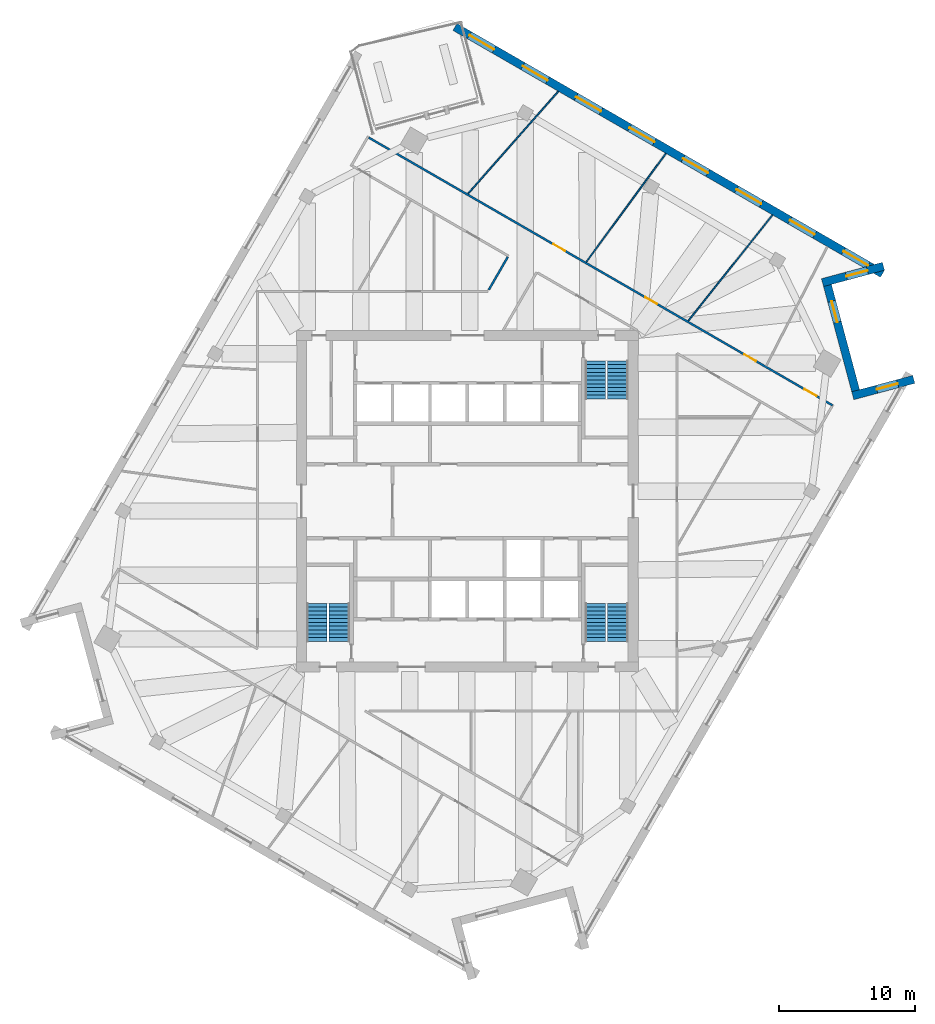
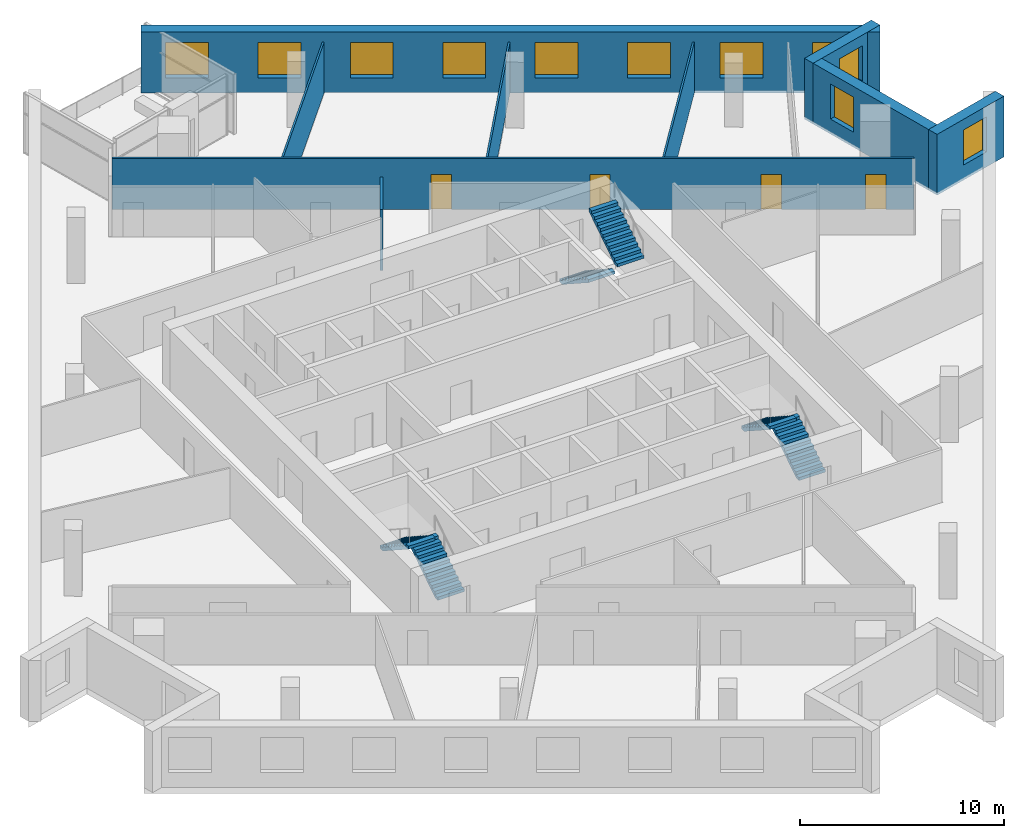
# One storey, part 11 of 13: 11 windows, 9 walls, 6 stair flights, 4 doors, 15 openings, 3 elements without a shape of their own.
"""IFC4 building model written with IfcOpenShell, lengths in metres."""

from ifc_helpers import new_model, si_unit, direction, frame, frame_2d, origin, place, context, subcontext, project, spatial, polyline, rectangle, outline, extrude, material, layer, layer_set, type_object, element, fill, aggregate, save


model = new_model("IFC4")

# Units and contexts
model_context = context("Model", 3, precision=1e-05, world=origin(), true_north=direction((0.0, 1.0)))
body_context = subcontext(model_context, "Body", "Model", "MODEL_VIEW")
ifc_project = project(units=[si_unit("LENGTHUNIT", "METRE"), si_unit("AREAUNIT", "SQUARE_METRE"), si_unit("VOLUMEUNIT", "CUBIC_METRE"), si_unit("PLANEANGLEUNIT", "RADIAN"), si_unit("MASSUNIT", "GRAM", prefix="KILO")], contexts=[model_context])

# Site, building, storey
site_placement = place(None, origin())
site = spatial("IfcSite", under=ifc_project, at=site_placement, CompositionType="ELEMENT")
building_placement = place(site_placement, origin())
building = spatial("IfcBuilding", under=site, at=building_placement, Name="Dilmun Exchange Tower", CompositionType="ELEMENT")
storey_placement = place(building_placement, frame((0.0, 0.0, 266.89990234375)))
storey = spatial("IfcBuildingStorey", under=building, at=storey_placement, Name="L63", CompositionType="ELEMENT", Elevation=266.89990234375)

# Wall, openings, doors
ifc_material_1 = material(Name="Corridor wall 150")
ifc_layer_1 = layer(ifc_material_1, 0.14990234375)
ifc_layer_set_1 = layer_set([ifc_layer_1], Name="Corridor wall 150")
wall_type_1 = type_object("IfcWallType", Name="Corridor wall 150", PredefinedType="PARTITIONING", material=ifc_layer_set_1)
wall_1_placement = place(storey_placement, frame((-7.2470703125, 26.697509765625, 0.0), z_axis=(0.0, 0.0, 1.0), x_axis=(0.866022442497, -0.500005129065, 0.0)))
wall_1 = element("IfcWall", 1, at=wall_1_placement, inside=storey, type_object=wall_type_1, Name="Corridor wall", PredefinedType="PARTITIONING", context=body_context, shape_type="SweptSolid", body=[
    extrude(rectangle(XDim=39.32470703125, YDim=0.14990234375, at=frame_2d((19.662353515625, 0.0))), origin(), (0.0, 0.0, 1.0), 3.0400390625),
])
opening_1_placement = place(wall_1_placement, frame((15.653564453125, 0.0, 0.0)))
opening_1 = element("IfcOpeningElement", 2, at=opening_1_placement, cuts=wall_1, Name="Opening TF62-D16", PredefinedType="OPENING", context=body_context, shape_type="SweptSolid", body=[
    extrude(rectangle(XDim=1.0, YDim=2.10009765625, at=frame_2d((0.5, 1.050048828125))), frame((0.0, 0.0849609375, 0.0), z_axis=(0.0, -1.0, 0.0), x_axis=(1.0, 0.0, 0.0)), (0.0, 0.0, 1.0), 0.169921875),
])
opening_2_placement = place(wall_1_placement, frame((23.441650390625, 0.0, 0.0)))
opening_2 = element("IfcOpeningElement", 3, at=opening_2_placement, cuts=wall_1, Name="Opening TF62-D17", PredefinedType="OPENING", context=body_context, shape_type="SweptSolid", body=[
    extrude(rectangle(XDim=1.0, YDim=2.10009765625, at=frame_2d((0.5, 1.050048828125))), frame((0.0, 0.0849609375, 0.0), z_axis=(0.0, -1.0, 0.0), x_axis=(1.0, 0.0, 0.0)), (0.0, 0.0, 1.0), 0.169921875),
])
opening_3_placement = place(wall_1_placement, frame((31.84130859375, 0.0, 0.0)))
opening_3 = element("IfcOpeningElement", 4, at=opening_3_placement, cuts=wall_1, Name="Opening TF62-D21", PredefinedType="OPENING", context=body_context, shape_type="SweptSolid", body=[
    extrude(rectangle(XDim=1.0, YDim=2.10009765625, at=frame_2d((0.5, 1.050048828125))), frame((0.0, 0.0849609375, 0.0), z_axis=(0.0, -1.0, 0.0), x_axis=(1.0, 0.0, 0.0)), (0.0, 0.0, 1.0), 0.169921875),
])
opening_4_placement = place(wall_1_placement, frame((36.955078125, 0.0, 0.0)))
opening_4 = element("IfcOpeningElement", 5, at=opening_4_placement, cuts=wall_1, Name="Opening TF62-D22", PredefinedType="OPENING", context=body_context, shape_type="SweptSolid", body=[
    extrude(rectangle(XDim=1.0, YDim=2.10009765625, at=frame_2d((0.5, 1.050048828125))), frame((0.0, 0.0849609375, 0.0), z_axis=(0.0, -1.0, 0.0), x_axis=(1.0, 0.0, 0.0)), (0.0, 0.0, 1.0), 0.169921875),
])
ifc_material_2 = material(Name="Fire door 1000 x 2100")
door_type = type_object("IfcDoorType", Name="Fire door 1000 x 2100", OperationType="NOTDEFINED", PredefinedType="DOOR", material=ifc_material_2)
door_1_placement = place(opening_1_placement, origin())
door_1 = element("IfcDoor", 6, at=door_1_placement, inside=storey, type_object=door_type, Name="Door TF62-D16", OperationType="SINGLE_SWING_RIGHT", OverallHeight=2.10009765625, OverallWidth=1.0, PredefinedType="DOOR", context=body_context, shape_type="SweptSolid", body=[
    extrude(rectangle(XDim=1.0, YDim=2.10009765625, at=frame_2d((0.5, 1.050048828125))), frame((0.0, 0.02490234375, 0.0), z_axis=(0.0, -1.0, 0.0), x_axis=(1.0, 0.0, 0.0)), (0.0, 0.0, 1.0), 0.050048828125),
])
fill(opening_1, door_1)
door_2_placement = place(opening_2_placement, origin())
door_2 = element("IfcDoor", 7, at=door_2_placement, inside=storey, type_object=door_type, Name="Door TF62-D17", OperationType="SINGLE_SWING_RIGHT", OverallHeight=2.10009765625, OverallWidth=1.0, PredefinedType="DOOR", context=body_context, shape_type="SweptSolid", body=[
    extrude(rectangle(XDim=1.0, YDim=2.10009765625, at=frame_2d((0.5, 1.050048828125))), frame((0.0, 0.02490234375, 0.0), z_axis=(0.0, -1.0, 0.0), x_axis=(1.0, 0.0, 0.0)), (0.0, 0.0, 1.0), 0.050048828125),
])
fill(opening_2, door_2)
door_3_placement = place(opening_3_placement, origin())
door_3 = element("IfcDoor", 8, at=door_3_placement, inside=storey, type_object=door_type, Name="Door TF62-D21", OperationType="SINGLE_SWING_RIGHT", OverallHeight=2.10009765625, OverallWidth=1.0, PredefinedType="DOOR", context=body_context, shape_type="SweptSolid", body=[
    extrude(rectangle(XDim=1.0, YDim=2.10009765625, at=frame_2d((0.5, 1.050048828125))), frame((0.0, 0.02490234375, 0.0), z_axis=(0.0, -1.0, 0.0), x_axis=(1.0, 0.0, 0.0)), (0.0, 0.0, 1.0), 0.050048828125),
])
fill(opening_3, door_3)
door_4_placement = place(opening_4_placement, origin())
door_4 = element("IfcDoor", 9, at=door_4_placement, inside=storey, type_object=door_type, Name="Door TF62-D22", OperationType="SINGLE_SWING_RIGHT", OverallHeight=2.10009765625, OverallWidth=1.0, PredefinedType="DOOR", context=body_context, shape_type="SweptSolid", body=[
    extrude(rectangle(XDim=1.0, YDim=2.10009765625, at=frame_2d((0.5, 1.050048828125))), frame((0.0, 0.02490234375, 0.0), z_axis=(0.0, -1.0, 0.0), x_axis=(1.0, 0.0, 0.0)), (0.0, 0.0, 1.0), 0.050048828125),
])
fill(opening_4, door_4)

# Walls
wall_2_placement = place(storey_placement, frame((1.56591796875, 15.512451171875, 0.0), z_axis=(0.0, 0.0, 1.0), x_axis=(0.500136902793, 0.865946348491, 0.0)))
element("IfcWall", 10, at=wall_2_placement, inside=storey, type_object=wall_type_1, Name="Corridor wall", PredefinedType="PARTITIONING", context=body_context, shape_type="SweptSolid", body=[
    extrude(rectangle(XDim=2.804443359375, YDim=0.14990234375, at=frame_2d((1.40234375, 0.0))), origin(), (0.0, 0.0, 1.0), 3.64013671875),
])
ifc_material_3 = material(Name="Partition 100")
ifc_layer_2 = layer(ifc_material_3, 0.10009765625)
ifc_layer_set_2 = layer_set([ifc_layer_2], Name="Partition 100")
wall_type_2 = type_object("IfcWallType", Name="Partition 100", PredefinedType="PARTITIONING", material=ifc_layer_set_2)
wall_3_placement = place(storey_placement, frame((0.04541015625, 22.5859375, 0.0), z_axis=(0.0, 0.0, 1.0), x_axis=(0.662385571542, 0.749163102811, 0.0)))
element("IfcWall", 11, at=wall_3_placement, inside=storey, type_object=wall_type_2, Name="Partition", PredefinedType="PARTITIONING", context=body_context, shape_type="SweptSolid", body=[
    extrude(rectangle(XDim=10.015625, YDim=0.10009765625, at=frame_2d((5.0078125, 0.0))), origin(), (0.0, 0.0, 1.0), 3.0400390625),
])
wall_4_placement = place(storey_placement, frame((8.727783203125, 17.5673828125, 0.0), z_axis=(0.0, 0.0, 1.0), x_axis=(0.591764258376, 0.806111073307, 0.0)))
element("IfcWall", 12, at=wall_4_placement, inside=storey, type_object=wall_type_2, Name="Partition", PredefinedType="PARTITIONING", context=body_context, shape_type="SweptSolid", body=[
    extrude(rectangle(XDim=9.879638671875, YDim=0.10009765625, at=frame_2d((4.93994140625, 0.0))), origin(), (0.0, 0.0, 1.0), 3.0400390625),
])
wall_5_placement = place(storey_placement, frame((16.222900390625, 13.2421875, 0.0), z_axis=(0.0, 0.0, 1.0), x_axis=(0.622346910835, 0.78274154264, 0.0)))
element("IfcWall", 13, at=wall_5_placement, inside=storey, type_object=wall_type_2, Name="Partition", PredefinedType="PARTITIONING", context=body_context, shape_type="SweptSolid", body=[
    extrude(rectangle(XDim=9.92724609375, YDim=0.10009765625, at=frame_2d((4.963623046875, 0.0))), origin(), (0.0, 0.0, 1.0), 3.0400390625),
])

# Wall, opening, window
ifc_material_4 = material(Name="Precast concrete C50/60", Category="concrete")
ifc_layer_3 = layer(ifc_material_4, 0.60009765625)
ifc_layer_set_3 = layer_set([ifc_layer_3], Name="Precast concrete C50/60")
wall_type_3 = type_object("IfcWallType", Name="Precast stone-clad wall 600", PredefinedType="STANDARD", material=ifc_layer_set_3)
wall_6_placement = place(storey_placement, frame((32.77392578125, 8.94189453125, 0.0), z_axis=(0.0, 0.0, 1.0), x_axis=(-0.965928304125, -0.258809797517, 0.0)))
wall_6 = element("IfcWall", 14, at=wall_6_placement, inside=storey, type_object=wall_type_3, Name="Facade wall L63-12", PredefinedType="STANDARD", context=body_context, shape_type="SweptSolid", body=[
    extrude(rectangle(XDim=4.635498046875, YDim=0.60009765625, at=frame_2d((2.31787109375, 0.0))), origin(), (0.0, 0.0, 1.0), 3.64013671875),
])
opening_5_placement = place(wall_6_placement, frame((1.2177734375, 0.0, 0.89990234375)))
opening_5 = element("IfcOpeningElement", 15, at=opening_5_placement, cuts=wall_6, Name="Opening W160-210", PredefinedType="OPENING", context=body_context, shape_type="SweptSolid", body=[
    extrude(rectangle(XDim=1.60009765625, YDim=2.10009765625, at=frame_2d((0.800048828125, 1.050048828125))), frame((0.0, 0.31005859375, 0.0), z_axis=(0.0, -1.0, 0.0), x_axis=(1.0, 0.0, 0.0)), (0.0, 0.0, 1.0), 0.6201171875),
])
ifc_material_5 = material(Name="Clear low-emissivity glass in aluminium frame", Category="aluminium")
window_type_1 = type_object("IfcWindowType", Name="Punched window 1600 x 2100", PartitioningType="DOUBLE_PANEL_VERTICAL", PredefinedType="WINDOW", material=ifc_material_5)
window_1_placement = place(opening_5_placement, origin())
window_1 = element("IfcWindow", 16, at=window_1_placement, inside=storey, type_object=window_type_1, Name="Window 13.1", OverallHeight=2.10009765625, OverallWidth=1.60009765625, PartitioningType="SINGLE_PANEL", PredefinedType="WINDOW", context=body_context, shape_type="SweptSolid", body=[
    extrude(rectangle(XDim=1.60009765625, YDim=2.10009765625, at=frame_2d((0.800048828125, 1.050048828125))), frame((0.0, 0.030029296875, 0.0), z_axis=(0.0, -1.0, 0.0), x_axis=(1.0, 0.0, 0.0)), (0.0, 0.0, 1.0), 0.06005859375),
])
fill(opening_5, window_1)

wall_7_placement = place(storey_placement, frame((28.508544921875, 8.109619140625, 0.0), z_axis=(0.0, 0.0, 1.0), x_axis=(-0.258815405168, 0.965926801599, 0.0)))
wall_7 = element("IfcWall", 17, at=wall_7_placement, inside=storey, type_object=wall_type_3, Name="Facade wall L63-13", PredefinedType="STANDARD", context=body_context, shape_type="SweptSolid", body=[
    extrude(rectangle(XDim=8.000244140625, YDim=0.60009765625, at=frame_2d((4.0, 0.0))), origin(), (0.0, 0.0, 1.0), 3.64013671875),
])
opening_6_placement = place(wall_7_placement, frame((5.199951171875, 0.0, 0.89990234375)))
opening_6 = element("IfcOpeningElement", 18, at=opening_6_placement, cuts=wall_7, Name="Opening W160-210", PredefinedType="OPENING", context=body_context, shape_type="SweptSolid", body=[
    extrude(rectangle(XDim=1.60009765625, YDim=2.10009765625, at=frame_2d((0.800048828125, 1.050048828125))), frame((0.0, 0.31005859375, 0.0), z_axis=(0.0, -1.0, 0.0), x_axis=(1.0, 0.0, 0.0)), (0.0, 0.0, 1.0), 0.6201171875),
])
window_2_placement = place(opening_6_placement, origin())
window_2 = element("IfcWindow", 19, at=window_2_placement, inside=storey, type_object=window_type_1, Name="Window 14.2", OverallHeight=2.10009765625, OverallWidth=1.60009765625, PartitioningType="SINGLE_PANEL", PredefinedType="WINDOW", context=body_context, shape_type="SweptSolid", body=[
    extrude(rectangle(XDim=1.60009765625, YDim=2.10009765625, at=frame_2d((0.800048828125, 1.050048828125))), frame((0.0, 0.030029296875, 0.0), z_axis=(0.0, -1.0, 0.0), x_axis=(1.0, 0.0, 0.0)), (0.0, 0.0, 1.0), 0.06005859375),
])
fill(opening_6, window_2)

wall_8_placement = place(storey_placement, frame((26.070556640625, 16.04931640625, 0.0), z_axis=(0.0, 0.0, 1.0), x_axis=(0.965928304125, 0.258809797517, 0.0)))
wall_8 = element("IfcWall", 20, at=wall_8_placement, inside=storey, type_object=wall_type_3, Name="Facade wall L63-14", PredefinedType="STANDARD", context=body_context, shape_type="SweptSolid", body=[
    extrude(rectangle(XDim=4.635498046875, YDim=0.60009765625, at=frame_2d((2.31787109375, 0.0))), origin(), (0.0, 0.0, 1.0), 3.64013671875),
])
opening_7_placement = place(wall_8_placement, frame((1.81787109375, 0.0, 0.89990234375)))
opening_7 = element("IfcOpeningElement", 21, at=opening_7_placement, cuts=wall_8, Name="Opening W160-210", PredefinedType="OPENING", context=body_context, shape_type="SweptSolid", body=[
    extrude(rectangle(XDim=1.60009765625, YDim=2.10009765625, at=frame_2d((0.800048828125, 1.050048828125))), frame((0.0, 0.31005859375, 0.0), z_axis=(0.0, -1.0, 0.0), x_axis=(1.0, 0.0, 0.0)), (0.0, 0.0, 1.0), 0.6201171875),
])
window_3_placement = place(opening_7_placement, origin())
window_3 = element("IfcWindow", 22, at=window_3_placement, inside=storey, type_object=window_type_1, Name="Window 15.1", OverallHeight=2.10009765625, OverallWidth=1.60009765625, PartitioningType="SINGLE_PANEL", PredefinedType="WINDOW", context=body_context, shape_type="SweptSolid", body=[
    extrude(rectangle(XDim=1.60009765625, YDim=2.10009765625, at=frame_2d((0.800048828125, 1.050048828125))), frame((0.0, 0.030029296875, 0.0), z_axis=(0.0, -1.0, 0.0), x_axis=(1.0, 0.0, 0.0)), (0.0, 0.0, 1.0), 0.06005859375),
])
fill(opening_7, window_3)

# Wall, openings, windows
wall_9_placement = place(storey_placement, frame((30.475830078125, 16.699462890625, 0.0), z_axis=(0.0, 0.0, 1.0), x_axis=(-0.866025061514, 0.500000592829, 0.0)))
wall_9 = element("IfcWall", 23, at=wall_9_placement, inside=storey, type_object=wall_type_3, Name="Facade wall L63-15", PredefinedType="STANDARD", context=body_context, shape_type="SweptSolid", body=[
    extrude(rectangle(XDim=36.2431640625, YDim=0.60009765625, at=frame_2d((18.12158203125, 0.0))), origin(), (0.0, 0.0, 1.0), 3.64013671875),
])
opening_8_placement = place(wall_9_placement, frame((1.215087890625, 0.0, 0.89990234375)))
opening_8 = element("IfcOpeningElement", 24, at=opening_8_placement, cuts=wall_9, Name="Opening W210-210", PredefinedType="OPENING", context=body_context, shape_type="SweptSolid", body=[
    extrude(rectangle(XDim=2.10009765625, YDim=2.10009765625, at=frame_2d((1.050048828125, 1.050048828125))), frame((0.0, 0.31005859375, 0.0), z_axis=(0.0, -1.0, 0.0), x_axis=(1.0, 0.0, 0.0)), (0.0, 0.0, 1.0), 0.6201171875),
])
opening_9_placement = place(wall_9_placement, frame((5.74560546875, 0.0, 0.89990234375)))
opening_9 = element("IfcOpeningElement", 25, at=opening_9_placement, cuts=wall_9, Name="Opening W210-210", PredefinedType="OPENING", context=body_context, shape_type="SweptSolid", body=[
    extrude(rectangle(XDim=2.10009765625, YDim=2.10009765625, at=frame_2d((1.050048828125, 1.050048828125))), frame((0.0, 0.31005859375, 0.0), z_axis=(0.0, -1.0, 0.0), x_axis=(1.0, 0.0, 0.0)), (0.0, 0.0, 1.0), 0.6201171875),
])
opening_10_placement = place(wall_9_placement, frame((10.27587890625, 0.0, 0.89990234375)))
opening_10 = element("IfcOpeningElement", 26, at=opening_10_placement, cuts=wall_9, Name="Opening W210-210", PredefinedType="OPENING", context=body_context, shape_type="SweptSolid", body=[
    extrude(rectangle(XDim=2.10009765625, YDim=2.10009765625, at=frame_2d((1.050048828125, 1.050048828125))), frame((0.0, 0.31005859375, 0.0), z_axis=(0.0, -1.0, 0.0), x_axis=(1.0, 0.0, 0.0)), (0.0, 0.0, 1.0), 0.6201171875),
])
opening_11_placement = place(wall_9_placement, frame((14.806396484375, 0.0, 0.89990234375)))
opening_11 = element("IfcOpeningElement", 27, at=opening_11_placement, cuts=wall_9, Name="Opening W210-210", PredefinedType="OPENING", context=body_context, shape_type="SweptSolid", body=[
    extrude(rectangle(XDim=2.10009765625, YDim=2.10009765625, at=frame_2d((1.050048828125, 1.050048828125))), frame((0.0, 0.31005859375, 0.0), z_axis=(0.0, -1.0, 0.0), x_axis=(1.0, 0.0, 0.0)), (0.0, 0.0, 1.0), 0.6201171875),
])
opening_12_placement = place(wall_9_placement, frame((19.3369140625, 0.0, 0.89990234375)))
opening_12 = element("IfcOpeningElement", 28, at=opening_12_placement, cuts=wall_9, Name="Opening W210-210", PredefinedType="OPENING", context=body_context, shape_type="SweptSolid", body=[
    extrude(rectangle(XDim=2.10009765625, YDim=2.10009765625, at=frame_2d((1.050048828125, 1.050048828125))), frame((0.0, 0.31005859375, 0.0), z_axis=(0.0, -1.0, 0.0), x_axis=(1.0, 0.0, 0.0)), (0.0, 0.0, 1.0), 0.6201171875),
])
opening_13_placement = place(wall_9_placement, frame((23.8671875, 0.0, 0.89990234375)))
opening_13 = element("IfcOpeningElement", 29, at=opening_13_placement, cuts=wall_9, Name="Opening W210-210", PredefinedType="OPENING", context=body_context, shape_type="SweptSolid", body=[
    extrude(rectangle(XDim=2.10009765625, YDim=2.10009765625, at=frame_2d((1.050048828125, 1.050048828125))), frame((0.0, 0.31005859375, 0.0), z_axis=(0.0, -1.0, 0.0), x_axis=(1.0, 0.0, 0.0)), (0.0, 0.0, 1.0), 0.6201171875),
])
opening_14_placement = place(wall_9_placement, frame((28.397705078125, 0.0, 0.89990234375)))
opening_14 = element("IfcOpeningElement", 30, at=opening_14_placement, cuts=wall_9, Name="Opening W210-210", PredefinedType="OPENING", context=body_context, shape_type="SweptSolid", body=[
    extrude(rectangle(XDim=2.10009765625, YDim=2.10009765625, at=frame_2d((1.050048828125, 1.050048828125))), frame((0.0, 0.31005859375, 0.0), z_axis=(0.0, -1.0, 0.0), x_axis=(1.0, 0.0, 0.0)), (0.0, 0.0, 1.0), 0.6201171875),
])
opening_15_placement = place(wall_9_placement, frame((32.927978515625, 0.0, 0.89990234375)))
opening_15 = element("IfcOpeningElement", 31, at=opening_15_placement, cuts=wall_9, Name="Opening W210-210", PredefinedType="OPENING", context=body_context, shape_type="SweptSolid", body=[
    extrude(rectangle(XDim=2.10009765625, YDim=2.10009765625, at=frame_2d((1.050048828125, 1.050048828125))), frame((0.0, 0.31005859375, 0.0), z_axis=(0.0, -1.0, 0.0), x_axis=(1.0, 0.0, 0.0)), (0.0, 0.0, 1.0), 0.6201171875),
])
window_type_2 = type_object("IfcWindowType", Name="Punched window 2100 x 2100", PartitioningType="DOUBLE_PANEL_VERTICAL", PredefinedType="WINDOW", material=ifc_material_5)
window_4_placement = place(opening_8_placement, origin())
window_4 = element("IfcWindow", 32, at=window_4_placement, inside=storey, type_object=window_type_2, Name="Window 16.1", OverallHeight=2.10009765625, OverallWidth=2.10009765625, PartitioningType="SINGLE_PANEL", PredefinedType="WINDOW", context=body_context, shape_type="SweptSolid", body=[
    extrude(rectangle(XDim=2.10009765625, YDim=2.10009765625, at=frame_2d((1.050048828125, 1.050048828125))), frame((0.0, 0.030029296875, 0.0), z_axis=(0.0, -1.0, 0.0), x_axis=(1.0, 0.0, 0.0)), (0.0, 0.0, 1.0), 0.06005859375),
])
fill(opening_8, window_4)
window_5_placement = place(opening_9_placement, origin())
window_5 = element("IfcWindow", 33, at=window_5_placement, inside=storey, type_object=window_type_2, Name="Window 16.2", OverallHeight=2.10009765625, OverallWidth=2.10009765625, PartitioningType="SINGLE_PANEL", PredefinedType="WINDOW", context=body_context, shape_type="SweptSolid", body=[
    extrude(rectangle(XDim=2.10009765625, YDim=2.10009765625, at=frame_2d((1.050048828125, 1.050048828125))), frame((0.0, 0.030029296875, 0.0), z_axis=(0.0, -1.0, 0.0), x_axis=(1.0, 0.0, 0.0)), (0.0, 0.0, 1.0), 0.06005859375),
])
fill(opening_9, window_5)
window_6_placement = place(opening_10_placement, origin())
window_6 = element("IfcWindow", 34, at=window_6_placement, inside=storey, type_object=window_type_2, Name="Window 16.3", OverallHeight=2.10009765625, OverallWidth=2.10009765625, PartitioningType="SINGLE_PANEL", PredefinedType="WINDOW", context=body_context, shape_type="SweptSolid", body=[
    extrude(rectangle(XDim=2.10009765625, YDim=2.10009765625, at=frame_2d((1.050048828125, 1.050048828125))), frame((0.0, 0.030029296875, 0.0), z_axis=(0.0, -1.0, 0.0), x_axis=(1.0, 0.0, 0.0)), (0.0, 0.0, 1.0), 0.06005859375),
])
fill(opening_10, window_6)
window_7_placement = place(opening_11_placement, origin())
window_7 = element("IfcWindow", 35, at=window_7_placement, inside=storey, type_object=window_type_2, Name="Window 16.4", OverallHeight=2.10009765625, OverallWidth=2.10009765625, PartitioningType="SINGLE_PANEL", PredefinedType="WINDOW", context=body_context, shape_type="SweptSolid", body=[
    extrude(rectangle(XDim=2.10009765625, YDim=2.10009765625, at=frame_2d((1.050048828125, 1.050048828125))), frame((0.0, 0.030029296875, 0.0), z_axis=(0.0, -1.0, 0.0), x_axis=(1.0, 0.0, 0.0)), (0.0, 0.0, 1.0), 0.06005859375),
])
fill(opening_11, window_7)
window_8_placement = place(opening_12_placement, origin())
window_8 = element("IfcWindow", 36, at=window_8_placement, inside=storey, type_object=window_type_2, Name="Window 16.5", OverallHeight=2.10009765625, OverallWidth=2.10009765625, PartitioningType="SINGLE_PANEL", PredefinedType="WINDOW", context=body_context, shape_type="SweptSolid", body=[
    extrude(rectangle(XDim=2.10009765625, YDim=2.10009765625, at=frame_2d((1.050048828125, 1.050048828125))), frame((0.0, 0.030029296875, 0.0), z_axis=(0.0, -1.0, 0.0), x_axis=(1.0, 0.0, 0.0)), (0.0, 0.0, 1.0), 0.06005859375),
])
fill(opening_12, window_8)
window_9_placement = place(opening_13_placement, origin())
window_9 = element("IfcWindow", 37, at=window_9_placement, inside=storey, type_object=window_type_2, Name="Window 16.6", OverallHeight=2.10009765625, OverallWidth=2.10009765625, PartitioningType="SINGLE_PANEL", PredefinedType="WINDOW", context=body_context, shape_type="SweptSolid", body=[
    extrude(rectangle(XDim=2.10009765625, YDim=2.10009765625, at=frame_2d((1.050048828125, 1.050048828125))), frame((0.0, 0.030029296875, 0.0), z_axis=(0.0, -1.0, 0.0), x_axis=(1.0, 0.0, 0.0)), (0.0, 0.0, 1.0), 0.06005859375),
])
fill(opening_13, window_9)
window_10_placement = place(opening_14_placement, origin())
window_10 = element("IfcWindow", 38, at=window_10_placement, inside=storey, type_object=window_type_2, Name="Window 16.7", OverallHeight=2.10009765625, OverallWidth=2.10009765625, PartitioningType="SINGLE_PANEL", PredefinedType="WINDOW", context=body_context, shape_type="SweptSolid", body=[
    extrude(rectangle(XDim=2.10009765625, YDim=2.10009765625, at=frame_2d((1.050048828125, 1.050048828125))), frame((0.0, 0.030029296875, 0.0), z_axis=(0.0, -1.0, 0.0), x_axis=(1.0, 0.0, 0.0)), (0.0, 0.0, 1.0), 0.06005859375),
])
fill(opening_14, window_10)
window_11_placement = place(opening_15_placement, origin())
window_11 = element("IfcWindow", 39, at=window_11_placement, inside=storey, type_object=window_type_2, Name="Window 16.8", OverallHeight=2.10009765625, OverallWidth=2.10009765625, PartitioningType="SINGLE_PANEL", PredefinedType="WINDOW", context=body_context, shape_type="SweptSolid", body=[
    extrude(rectangle(XDim=2.10009765625, YDim=2.10009765625, at=frame_2d((1.050048828125, 1.050048828125))), frame((0.0, 0.030029296875, 0.0), z_axis=(0.0, -1.0, 0.0), x_axis=(1.0, 0.0, 0.0)), (0.0, 0.0, 1.0), 0.06005859375),
])
fill(opening_15, window_11)

# Stair, stair flights
ifc_material_6 = material(Name="Concrete C40/50", Category="concrete")
stair_type = type_object("IfcStairType", Name="Exit stair 1500 half-turn", PredefinedType="HALF_TURN_STAIR", material=ifc_material_6)
stair_1_placement = place(storey_placement, origin())
stair_1 = element("IfcStair", 40, at=stair_1_placement, inside=storey, type_object=stair_type, Name="L63 Protected exit stair ST1", PredefinedType="HALF_TURN_STAIR")
stair_flight_type = type_object("IfcStairFlightType", Name="Exit stair flight 1500", PredefinedType="STRAIGHT", material=ifc_material_6)
stair_flight_1_placement = place(storey_placement, frame((9.39990234375, 10.300048828125, 0.0), z_axis=(0.0, 0.0, 1.0), x_axis=(0.0, -1.0, 0.0)))
stair_flight_1 = element("IfcStairFlight", 41, at=stair_flight_1_placement, type_object=stair_flight_type, Name="ST1 flight 1", NumberOfRisers=11, NumberOfTreads=10, PredefinedType="STRAIGHT", RiserHeight=0.181818182, TreadLength=0.28, context=body_context, shape_type="SweptSolid", body=[
    extrude(outline(polyline([(0.0, 0.0), (0.0, 0.181884765625), (0.280029296875, 0.181884765625), (0.280029296875, 0.363525390625), (0.56005859375, 0.363525390625), (0.56005859375, 0.54541015625), (0.840087890625, 0.54541015625), (0.840087890625, 0.727294921875), (1.1201171875, 0.727294921875), (1.1201171875, 0.9091796875), (1.39990234375, 0.9091796875), (1.39990234375, 1.0908203125), (1.679931640625, 1.0908203125), (1.679931640625, 1.272705078125), (1.9599609375, 1.272705078125), (1.9599609375, 1.45458984375), (2.239990234375, 1.45458984375), (2.239990234375, 1.636474609375), (2.52001953125, 1.636474609375), (2.52001953125, 1.818115234375), (2.800048828125, 1.818115234375), (2.800048828125, 2.0), (2.800048828125, 1.639404296875), (0.275146484375, 0.0), (0.0, 0.0)])), frame((0.0, 0.75, 0.0), z_axis=(0.0, -1.0, 0.0), x_axis=(1.0, 0.0, 0.0)), (0.0, 0.0, 1.0), 1.5),
])
stair_flight_2_placement = place(storey_placement, frame((11.050048828125, 7.5, 2.0), z_axis=(0.0, 0.0, 1.0), x_axis=(0.0, 1.0, 0.0)))
stair_flight_2 = element("IfcStairFlight", 42, at=stair_flight_2_placement, type_object=stair_flight_type, Name="ST1 flight 2", NumberOfRisers=11, NumberOfTreads=10, PredefinedType="STRAIGHT", RiserHeight=0.181818182, TreadLength=0.28, context=body_context, shape_type="SweptSolid", body=[
    extrude(outline(polyline([(0.0, 0.0), (0.0, 0.181884765625), (0.280029296875, 0.181884765625), (0.280029296875, 0.363525390625), (0.56005859375, 0.363525390625), (0.56005859375, 0.54541015625), (0.840087890625, 0.54541015625), (0.840087890625, 0.727294921875), (1.1201171875, 0.727294921875), (1.1201171875, 0.9091796875), (1.39990234375, 0.9091796875), (1.39990234375, 1.0908203125), (1.679931640625, 1.0908203125), (1.679931640625, 1.272705078125), (1.9599609375, 1.272705078125), (1.9599609375, 1.45458984375), (2.239990234375, 1.45458984375), (2.239990234375, 1.636474609375), (2.52001953125, 1.636474609375), (2.52001953125, 1.818115234375), (2.800048828125, 1.818115234375), (2.800048828125, 2.0), (2.800048828125, 1.639404296875), (0.275146484375, 0.0), (0.0, 0.0)])), frame((0.0, 0.75, 0.0), z_axis=(0.0, -1.0, 0.0), x_axis=(1.0, 0.0, 0.0)), (0.0, 0.0, 1.0), 1.5),
])
aggregate(stair_1, [stair_flight_1, stair_flight_2])

stair_2_placement = place(storey_placement, origin())
stair_2 = element("IfcStair", 43, at=stair_2_placement, inside=storey, type_object=stair_type, Name="L63 Protected exit stair ST2", PredefinedType="HALF_TURN_STAIR")
stair_flight_3_placement = place(storey_placement, frame((-9.39990234375, -10.300048828125, 0.0), z_axis=(0.0, 0.0, 1.0), x_axis=(0.0, 1.0, 0.0)))
stair_flight_3 = element("IfcStairFlight", 44, at=stair_flight_3_placement, type_object=stair_flight_type, Name="ST2 flight 1", NumberOfRisers=11, NumberOfTreads=10, PredefinedType="STRAIGHT", RiserHeight=0.181818182, TreadLength=0.28, context=body_context, shape_type="SweptSolid", body=[
    extrude(outline(polyline([(0.0, 0.0), (0.0, 0.181884765625), (0.280029296875, 0.181884765625), (0.280029296875, 0.363525390625), (0.56005859375, 0.363525390625), (0.56005859375, 0.54541015625), (0.840087890625, 0.54541015625), (0.840087890625, 0.727294921875), (1.1201171875, 0.727294921875), (1.1201171875, 0.9091796875), (1.39990234375, 0.9091796875), (1.39990234375, 1.0908203125), (1.679931640625, 1.0908203125), (1.679931640625, 1.272705078125), (1.9599609375, 1.272705078125), (1.9599609375, 1.45458984375), (2.239990234375, 1.45458984375), (2.239990234375, 1.636474609375), (2.52001953125, 1.636474609375), (2.52001953125, 1.818115234375), (2.800048828125, 1.818115234375), (2.800048828125, 2.0), (2.800048828125, 1.639404296875), (0.275146484375, 0.0), (0.0, 0.0)])), frame((0.0, 0.75, 0.0), z_axis=(0.0, -1.0, 0.0), x_axis=(1.0, 0.0, 0.0)), (0.0, 0.0, 1.0), 1.5),
])
stair_flight_4_placement = place(storey_placement, frame((-11.050048828125, -7.5, 2.0), z_axis=(0.0, 0.0, 1.0), x_axis=(0.0, -1.0, 0.0)))
stair_flight_4 = element("IfcStairFlight", 45, at=stair_flight_4_placement, type_object=stair_flight_type, Name="ST2 flight 2", NumberOfRisers=11, NumberOfTreads=10, PredefinedType="STRAIGHT", RiserHeight=0.181818182, TreadLength=0.28, context=body_context, shape_type="SweptSolid", body=[
    extrude(outline(polyline([(0.0, 0.0), (0.0, 0.181884765625), (0.280029296875, 0.181884765625), (0.280029296875, 0.363525390625), (0.56005859375, 0.363525390625), (0.56005859375, 0.54541015625), (0.840087890625, 0.54541015625), (0.840087890625, 0.727294921875), (1.1201171875, 0.727294921875), (1.1201171875, 0.9091796875), (1.39990234375, 0.9091796875), (1.39990234375, 1.0908203125), (1.679931640625, 1.0908203125), (1.679931640625, 1.272705078125), (1.9599609375, 1.272705078125), (1.9599609375, 1.45458984375), (2.239990234375, 1.45458984375), (2.239990234375, 1.636474609375), (2.52001953125, 1.636474609375), (2.52001953125, 1.818115234375), (2.800048828125, 1.818115234375), (2.800048828125, 2.0), (2.800048828125, 1.639404296875), (0.275146484375, 0.0), (0.0, 0.0)])), frame((0.0, 0.75, 0.0), z_axis=(0.0, -1.0, 0.0), x_axis=(1.0, 0.0, 0.0)), (0.0, 0.0, 1.0), 1.5),
])
aggregate(stair_2, [stair_flight_3, stair_flight_4])

stair_3_placement = place(storey_placement, origin())
stair_3 = element("IfcStair", 46, at=stair_3_placement, inside=storey, type_object=stair_type, Name="L63 Protected exit stair ST3", PredefinedType="HALF_TURN_STAIR")
stair_flight_5_placement = place(storey_placement, frame((11.050048828125, -10.300048828125, 0.0), z_axis=(0.0, 0.0, 1.0), x_axis=(0.0, 1.0, 0.0)))
stair_flight_5 = element("IfcStairFlight", 47, at=stair_flight_5_placement, type_object=stair_flight_type, Name="ST3 flight 1", NumberOfRisers=11, NumberOfTreads=10, PredefinedType="STRAIGHT", RiserHeight=0.181818182, TreadLength=0.28, context=body_context, shape_type="SweptSolid", body=[
    extrude(outline(polyline([(0.0, 0.0), (0.0, 0.181884765625), (0.280029296875, 0.181884765625), (0.280029296875, 0.363525390625), (0.56005859375, 0.363525390625), (0.56005859375, 0.54541015625), (0.840087890625, 0.54541015625), (0.840087890625, 0.727294921875), (1.1201171875, 0.727294921875), (1.1201171875, 0.9091796875), (1.39990234375, 0.9091796875), (1.39990234375, 1.0908203125), (1.679931640625, 1.0908203125), (1.679931640625, 1.272705078125), (1.9599609375, 1.272705078125), (1.9599609375, 1.45458984375), (2.239990234375, 1.45458984375), (2.239990234375, 1.636474609375), (2.52001953125, 1.636474609375), (2.52001953125, 1.818115234375), (2.800048828125, 1.818115234375), (2.800048828125, 2.0), (2.800048828125, 1.639404296875), (0.275146484375, 0.0), (0.0, 0.0)])), frame((0.0, 0.75, 0.0), z_axis=(0.0, -1.0, 0.0), x_axis=(1.0, 0.0, 0.0)), (0.0, 0.0, 1.0), 1.5),
])
stair_flight_6_placement = place(storey_placement, frame((9.39990234375, -7.5, 2.0), z_axis=(0.0, 0.0, 1.0), x_axis=(0.0, -1.0, 0.0)))
stair_flight_6 = element("IfcStairFlight", 48, at=stair_flight_6_placement, type_object=stair_flight_type, Name="ST3 flight 2", NumberOfRisers=11, NumberOfTreads=10, PredefinedType="STRAIGHT", RiserHeight=0.181818182, TreadLength=0.28, context=body_context, shape_type="SweptSolid", body=[
    extrude(outline(polyline([(0.0, 0.0), (0.0, 0.181884765625), (0.280029296875, 0.181884765625), (0.280029296875, 0.363525390625), (0.56005859375, 0.363525390625), (0.56005859375, 0.54541015625), (0.840087890625, 0.54541015625), (0.840087890625, 0.727294921875), (1.1201171875, 0.727294921875), (1.1201171875, 0.9091796875), (1.39990234375, 0.9091796875), (1.39990234375, 1.0908203125), (1.679931640625, 1.0908203125), (1.679931640625, 1.272705078125), (1.9599609375, 1.272705078125), (1.9599609375, 1.45458984375), (2.239990234375, 1.45458984375), (2.239990234375, 1.636474609375), (2.52001953125, 1.636474609375), (2.52001953125, 1.818115234375), (2.800048828125, 1.818115234375), (2.800048828125, 2.0), (2.800048828125, 1.639404296875), (0.275146484375, 0.0), (0.0, 0.0)])), frame((0.0, 0.75, 0.0), z_axis=(0.0, -1.0, 0.0), x_axis=(1.0, 0.0, 0.0)), (0.0, 0.0, 1.0), 1.5),
])
aggregate(stair_3, [stair_flight_5, stair_flight_6])

save(model, "model.ifc")
